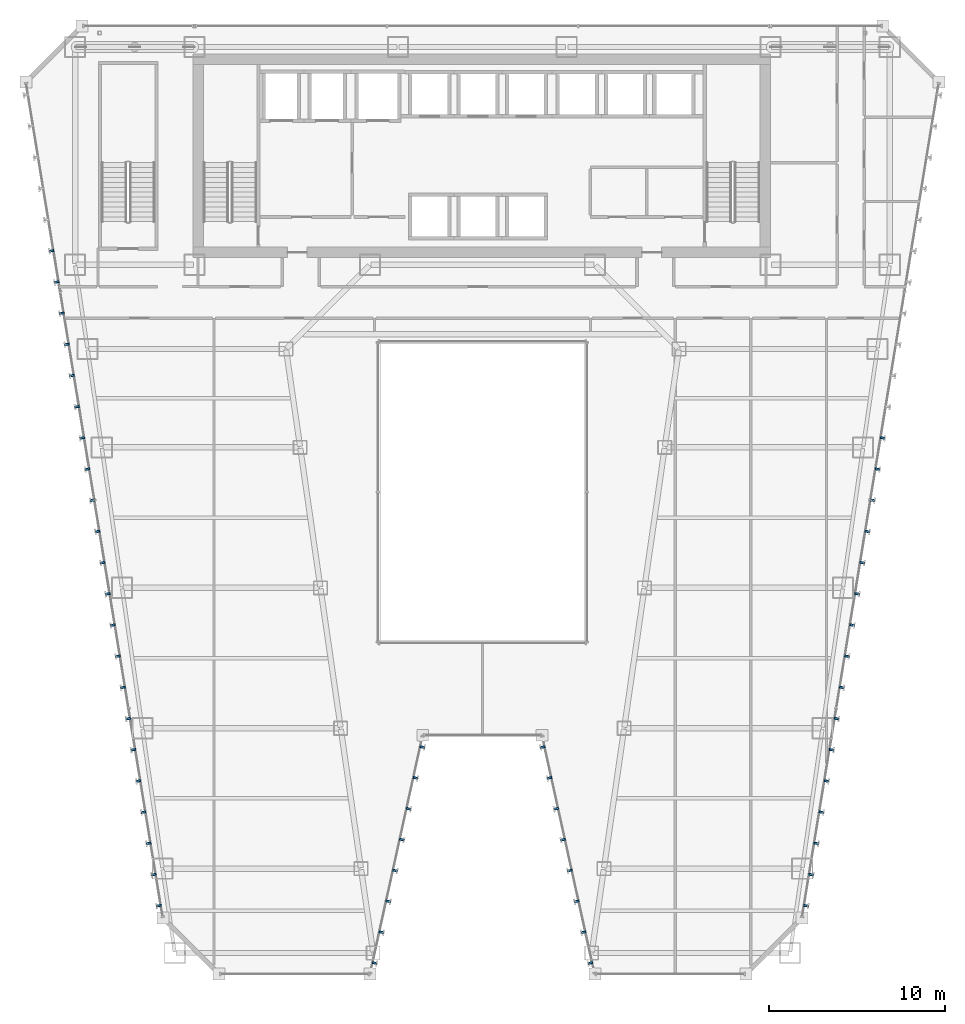
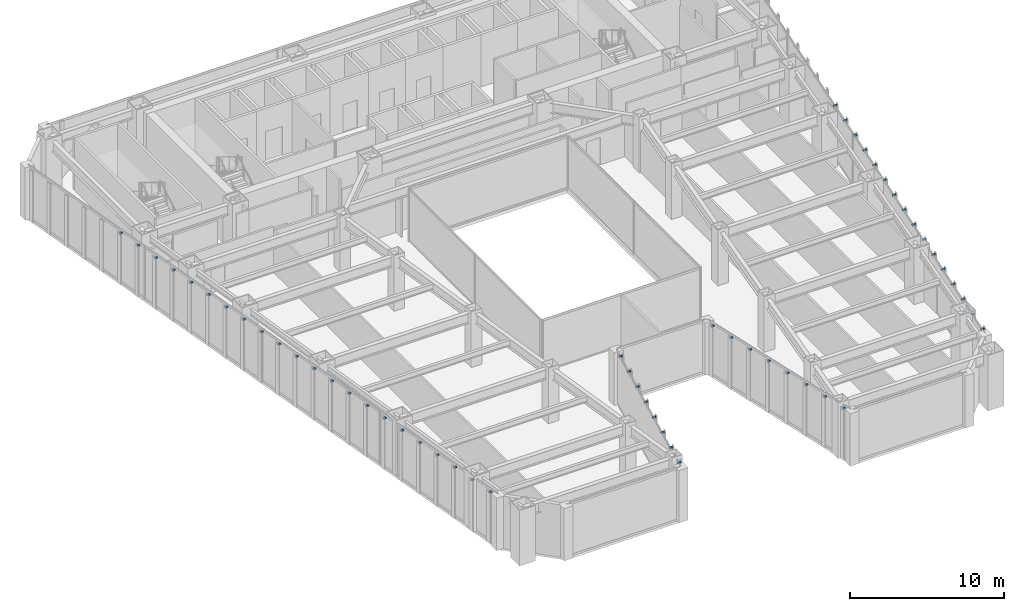
# One storey, part 39 of 47: 54 discrete accessories.
"""IFC4 building model written with IfcOpenShell, lengths in metres."""

from ifc_helpers import new_model, si_unit, direction, frame, origin, origin_2d, place, context, subcontext, project, spatial, rectangle, extrude, material, layer, layer_set, type_object, element, save


model = new_model("IFC4")

# Units and contexts
model_context = context("Model", 3, precision=1e-05, world=origin(), true_north=direction((0.0, 1.0)))
body_context = subcontext(model_context, "Body", "Model", "MODEL_VIEW")
ifc_project = project(units=[si_unit("LENGTHUNIT", "METRE"), si_unit("AREAUNIT", "SQUARE_METRE"), si_unit("VOLUMEUNIT", "CUBIC_METRE"), si_unit("PLANEANGLEUNIT", "RADIAN"), si_unit("MASSUNIT", "GRAM", prefix="KILO")], contexts=[model_context])

# Site, building, storey
site_placement = place(None, origin())
site = spatial("IfcSite", under=ifc_project, at=site_placement, CompositionType="ELEMENT")
building_placement = place(site_placement, origin())
building = spatial("IfcBuilding", under=site, at=building_placement, Name="Saevonmaru Cultural Tower", CompositionType="ELEMENT")
storey_placement = place(building_placement, frame((0.0, 0.0, 64.800048828125)))
storey = spatial("IfcBuildingStorey", under=building, at=storey_placement, Name="L13", CompositionType="ELEMENT", Elevation=64.800048828125)

# Discrete accessories
ifc_material = material(Name="Stainless Steel 316", Category="steel")
ifc_layer = layer(ifc_material, 0.1201171875, Name="Stainless Steel 316")
ifc_layer_set = layer_set([ifc_layer], Name="Stainless Steel 316")
discrete_accessory_type = type_object("IfcDiscreteAccessoryType", Name="ACC-FIN-BRKT", PredefinedType="BRACKET", material=ifc_layer_set)
for number, where, z_axis, x_axis, name in (
    (1, (23.850341796875, 2.624267578125, 3.929931640625), (0.0, 0.0, 1.0), (0.976522126798, -0.215417120661, 0.0), "L13 Bronze Fin Bracket E3-01"),
    (2, (24.238037109375, 4.3818359375, 3.929931640625), (0.0, 0.0, 1.0), (0.976522126798, -0.215417120661, 0.0), "L13 Bronze Fin Bracket E3-02"),
    (3, (24.625732421875, 6.1396484375, 3.929931640625), (0.0, 0.0, 1.0), (0.976522126798, -0.215417120661, 0.0), "L13 Bronze Fin Bracket E3-03"),
    (4, (25.013427734375, 7.8974609375, 3.929931640625), (0.0, 0.0, 1.0), (0.976522126798, -0.215417120661, 0.0), "L13 Bronze Fin Bracket E3-04"),
    (5, (25.4013671875, 9.6552734375, 3.929931640625), (0.0, 0.0, 1.0), (0.976522126798, -0.215417120661, 0.0), "L13 Bronze Fin Bracket E3-05"),
    (6, (25.7890625, 11.412841796875, 3.929931640625), (0.0, 0.0, 1.0), (0.976522126798, -0.215417120661, 0.0), "L13 Bronze Fin Bracket E3-06"),
    (7, (26.1767578125, 13.170654296875, 3.929931640625), (0.0, 0.0, 1.0), (0.976522126798, -0.215417120661, 0.0), "L13 Bronze Fin Bracket E3-07"),
    (8, (26.564453125, 14.928466796875, 3.929931640625), (0.0, 0.0, 1.0), (0.976522126798, -0.215417120661, 0.0), "L13 Bronze Fin Bracket E3-08"),
    (9, (33.435546875, 14.928466796875, 3.929931640625), (0.0, 0.0, 1.0), (-0.976522126798, -0.215417120661, 0.0), "L13 Bronze Fin Bracket E5-01"),
    (10, (33.8232421875, 13.170654296875, 3.929931640625), (0.0, 0.0, 1.0), (-0.976522126798, -0.215417120661, 0.0), "L13 Bronze Fin Bracket E5-02"),
    (11, (34.2109375, 11.412841796875, 3.929931640625), (0.0, 0.0, 1.0), (-0.976522126798, -0.215417120661, 0.0), "L13 Bronze Fin Bracket E5-03"),
    (12, (34.5986328125, 9.6552734375, 3.929931640625), (0.0, 0.0, 1.0), (-0.976522126798, -0.215417120661, 0.0), "L13 Bronze Fin Bracket E5-04"),
    (13, (34.986572265625, 7.8974609375, 3.929931640625), (0.0, 0.0, 1.0), (-0.976522126798, -0.215417120661, 0.0), "L13 Bronze Fin Bracket E5-05"),
    (14, (35.374267578125, 6.1396484375, 3.929931640625), (0.0, 0.0, 1.0), (-0.976522126798, -0.215417120661, 0.0), "L13 Bronze Fin Bracket E5-06"),
    (15, (35.761962890625, 4.3818359375, 3.929931640625), (0.0, 0.0, 1.0), (-0.976522126798, -0.215417120661, 0.0), "L13 Bronze Fin Bracket E5-07"),
    (16, (36.149658203125, 2.624267578125, 3.929931640625), (0.0, 0.0, 1.0), (-0.976522126798, -0.215417120661, 0.0), "L13 Bronze Fin Bracket E5-08"),
    (17, (48.424560546875, 5.89013671875, 3.929931640625), (0.0, 0.0, 1.0), (0.986827496189, -0.161776057456, 0.0), "L13 Bronze Fin Bracket E8-01"),
    (18, (48.715576171875, 7.66650390625, 3.929931640625), (0.0, 0.0, 1.0), (0.986827496189, -0.161776057456, 0.0), "L13 Bronze Fin Bracket E8-02"),
    (19, (49.006591796875, 9.44287109375, 3.929931640625), (0.0, 0.0, 1.0), (0.986827496189, -0.161776057456, 0.0), "L13 Bronze Fin Bracket E8-03"),
    (20, (49.2978515625, 11.218994140625, 3.929931640625), (0.0, 0.0, 1.0), (0.986827496189, -0.161776057456, 0.0), "L13 Bronze Fin Bracket E8-04"),
    (21, (49.5888671875, 12.995361328125, 3.929931640625), (0.0, 0.0, 1.0), (0.986827496189, -0.161776057456, 0.0), "L13 Bronze Fin Bracket E8-05"),
    (22, (49.8798828125, 14.771728515625, 3.929931640625), (0.0, 0.0, 1.0), (0.986827496189, -0.161776057456, 0.0), "L13 Bronze Fin Bracket E8-06"),
    (23, (50.1708984375, 16.548095703125, 3.929931640625), (0.0, 0.0, 1.0), (0.986827496189, -0.161776057456, 0.0), "L13 Bronze Fin Bracket E8-07"),
    (24, (50.462158203125, 18.324462890625, 3.929931640625), (0.0, 0.0, 1.0), (0.986827496189, -0.161776057456, 0.0), "L13 Bronze Fin Bracket E8-08"),
    (25, (50.753173828125, 20.1005859375, 3.929931640625), (0.0, 0.0, 1.0), (0.986827496189, -0.161776057456, 0.0), "L13 Bronze Fin Bracket E8-09"),
    (26, (51.044189453125, 21.876953125, 3.929931640625), (0.0, 0.0, 1.0), (0.986827496189, -0.161776057456, 0.0), "L13 Bronze Fin Bracket E8-10"),
    (27, (51.335205078125, 23.6533203125, 3.929931640625), (0.0, 0.0, 1.0), (0.986827496189, -0.161776057456, 0.0), "L13 Bronze Fin Bracket E8-11"),
    (28, (51.62646484375, 25.4296875, 3.929931640625), (0.0, 0.0, 1.0), (0.986827496189, -0.161776057456, 0.0), "L13 Bronze Fin Bracket E8-12"),
    (29, (51.91748046875, 27.205810546875, 3.929931640625), (0.0, 0.0, 1.0), (0.986827496189, -0.161776057456, 0.0), "L13 Bronze Fin Bracket E8-13"),
    (30, (52.20849609375, 28.982177734375, 3.929931640625), (0.0, 0.0, 1.0), (0.986827496189, -0.161776057456, 0.0), "L13 Bronze Fin Bracket E8-14"),
    (31, (52.49951171875, 30.758544921875, 3.929931640625), (0.0, 0.0, 1.0), (0.986827496189, -0.161776057456, 0.0), "L13 Bronze Fin Bracket E8-15"),
    (32, (52.790771484375, 32.534912109375, 3.929931640625), (0.0, 0.0, 1.0), (0.986827496189, -0.161776057456, 0.0), "L13 Bronze Fin Bracket E8-16"),
    (33, (5.462890625, 43.192626953125, 3.929931640625), (0.0, 0.0, 1.0), (-0.986827496189, -0.161776057456, 0.0), "L13 Bronze Fin Bracket E12-06"),
    (34, (5.75390625, 41.41650390625, 3.929931640625), (0.0, 0.0, 1.0), (-0.986827496189, -0.161776057456, 0.0), "L13 Bronze Fin Bracket E12-07"),
    (35, (6.044921875, 39.64013671875, 3.929931640625), (0.0, 0.0, 1.0), (-0.986827496189, -0.161776057456, 0.0), "L13 Bronze Fin Bracket E12-08"),
    (36, (6.336181640625, 37.86376953125, 3.929931640625), (0.0, 0.0, 1.0), (-0.986827496189, -0.161776057456, 0.0), "L13 Bronze Fin Bracket E12-09"),
    (37, (6.627197265625, 36.08740234375, 3.929931640625), (0.0, 0.0, 1.0), (-0.986827496189, -0.161776057456, 0.0), "L13 Bronze Fin Bracket E12-10"),
    (38, (6.918212890625, 34.31103515625, 3.929931640625), (0.0, 0.0, 1.0), (-0.986827496189, -0.161776057456, 0.0), "L13 Bronze Fin Bracket E12-11"),
    (39, (7.209228515625, 32.534912109375, 3.929931640625), (0.0, 0.0, 1.0), (-0.986827496189, -0.161776057456, 0.0), "L13 Bronze Fin Bracket E12-12"),
    (40, (7.50048828125, 30.758544921875, 3.929931640625), (0.0, 0.0, 1.0), (-0.986827496189, -0.161776057456, 0.0), "L13 Bronze Fin Bracket E12-13"),
    (41, (7.79150390625, 28.982177734375, 3.929931640625), (0.0, 0.0, 1.0), (-0.986827496189, -0.161776057456, 0.0), "L13 Bronze Fin Bracket E12-14"),
    (42, (8.08251953125, 27.205810546875, 3.929931640625), (0.0, 0.0, 1.0), (-0.986827496189, -0.161776057456, 0.0), "L13 Bronze Fin Bracket E12-15"),
    (43, (8.37353515625, 25.4296875, 3.929931640625), (0.0, 0.0, 1.0), (-0.986827496189, -0.161776057456, 0.0), "L13 Bronze Fin Bracket E12-16"),
    (44, (8.664794921875, 23.6533203125, 3.929931640625), (0.0, 0.0, 1.0), (-0.986827496189, -0.161776057456, 0.0), "L13 Bronze Fin Bracket E12-17"),
    (45, (8.955810546875, 21.876953125, 3.929931640625), (0.0, 0.0, 1.0), (-0.986827496189, -0.161776057456, 0.0), "L13 Bronze Fin Bracket E12-18"),
    (46, (9.246826171875, 20.1005859375, 3.929931640625), (0.0, 0.0, 1.0), (-0.986827496189, -0.161776057456, 0.0), "L13 Bronze Fin Bracket E12-19"),
    (47, (9.537841796875, 18.324462890625, 3.929931640625), (0.0, 0.0, 1.0), (-0.986827496189, -0.161776057456, 0.0), "L13 Bronze Fin Bracket E12-20"),
    (48, (9.8291015625, 16.548095703125, 3.929931640625), (0.0, 0.0, 1.0), (-0.986827496189, -0.161776057456, 0.0), "L13 Bronze Fin Bracket E12-21"),
    (49, (10.1201171875, 14.771728515625, 3.929931640625), (0.0, 0.0, 1.0), (-0.986827496189, -0.161776057456, 0.0), "L13 Bronze Fin Bracket E12-22"),
    (50, (10.4111328125, 12.995361328125, 3.929931640625), (0.0, 0.0, 1.0), (-0.986827496189, -0.161776057456, 0.0), "L13 Bronze Fin Bracket E12-23"),
    (51, (10.7021484375, 11.218994140625, 3.929931640625), (0.0, 0.0, 1.0), (-0.986827496189, -0.161776057456, 0.0), "L13 Bronze Fin Bracket E12-24"),
    (52, (10.993408203125, 9.44287109375, 3.929931640625), (0.0, 0.0, 1.0), (-0.986827496189, -0.161776057456, 0.0), "L13 Bronze Fin Bracket E12-25"),
    (53, (11.284423828125, 7.66650390625, 3.929931640625), (0.0, 0.0, 1.0), (-0.986827496189, -0.161776057456, 0.0), "L13 Bronze Fin Bracket E12-26"),
    (54, (11.575439453125, 5.89013671875, 3.929931640625), (0.0, 0.0, 1.0), (-0.986827496189, -0.161776057456, 0.0), "L13 Bronze Fin Bracket E12-27"),
):
    element("IfcDiscreteAccessory", number, at=place(storey_placement, frame(where, z_axis=z_axis, x_axis=x_axis)), inside=storey, type_object=discrete_accessory_type, Name=name, PredefinedType="BRACKET", context=body_context, shape_type="SweptSolid", body=[
        extrude(rectangle(XDim=0.260009765625, YDim=0.1201171875, at=origin_2d()), origin(), (0.0, 0.0, 1.0), 0.1201171875),
    ])

save(model, "model.ifc")
